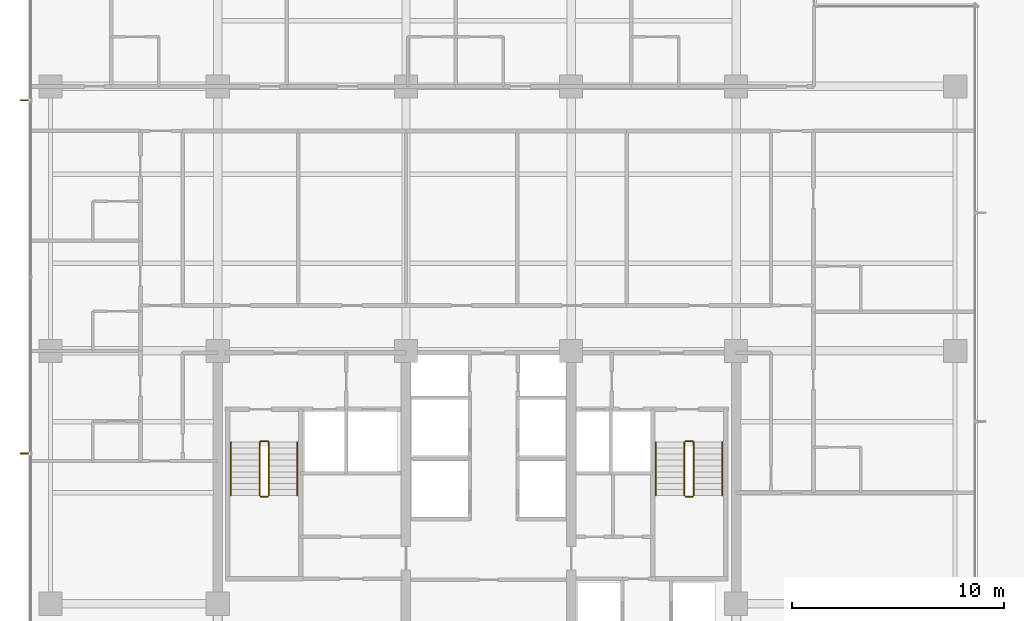
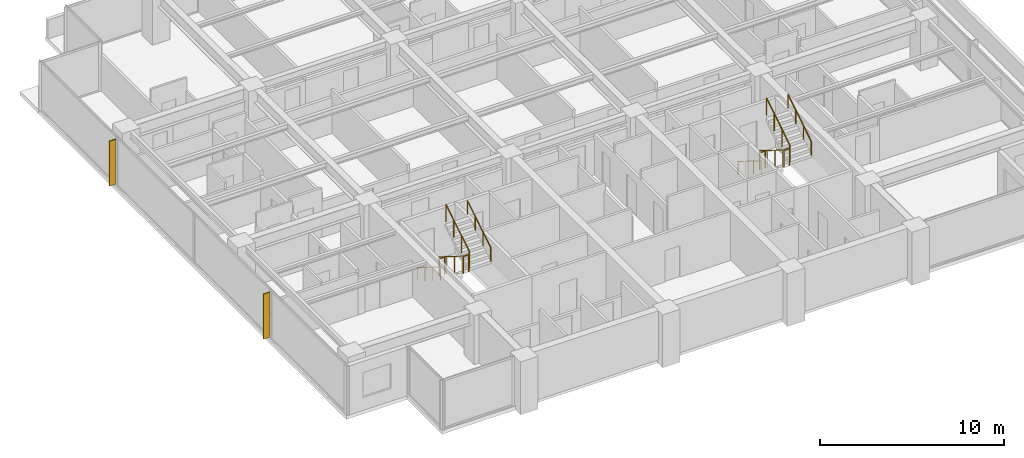
# One storey, part 15 of 16: 12 railings, 2 shading devices.
"""IFC4 building model written with IfcOpenShell, lengths in metres."""

from ifc_helpers import new_model, si_unit, direction, frame, origin, origin_2d, place, context, subcontext, project, spatial, polyline, circle, outline, extrude, material, layer, layer_set, type_object, element, save


model = new_model("IFC4")

# Units and contexts
model_context = context("Model", 3, precision=1e-05, world=origin(), true_north=direction((0.0, 1.0)))
body_context = subcontext(model_context, "Body", "Model", "MODEL_VIEW")
ifc_project = project(units=[si_unit("LENGTHUNIT", "METRE"), si_unit("AREAUNIT", "SQUARE_METRE"), si_unit("VOLUMEUNIT", "CUBIC_METRE"), si_unit("PLANEANGLEUNIT", "RADIAN"), si_unit("MASSUNIT", "GRAM", prefix="KILO")], contexts=[model_context])

# Site, building, storey
site_placement = place(None, origin())
site = spatial("IfcSite", under=ifc_project, at=site_placement, CompositionType="ELEMENT")
building_placement = place(site_placement, origin())
building = spatial("IfcBuilding", under=site, at=building_placement, Name="Qalmaran Belvedere Hotel", CompositionType="ELEMENT")
storey_placement = place(building_placement, frame((0.0, 0.0, 138.60009765625)))
storey = spatial("IfcBuildingStorey", under=building, at=storey_placement, Name="L34", CompositionType="ELEMENT", Elevation=138.60009765625)

# Shading devices
ifc_material_1 = material(Name="Anodised Bronze Aluminium", Category="aluminium")
ifc_layer = layer(ifc_material_1, 0.06494140625, Name="Anodised Bronze Aluminium")
ifc_layer_set = layer_set([ifc_layer], Name="Anodised Bronze Aluminium")
shading_device_type = type_object("IfcShadingDeviceType", Name="FIN-BRNZ-420", PredefinedType="USERDEFINED", material=ifc_layer_set)
shading_device_1_placement = place(storey_placement, frame((0.0, 0.0, 0.159912109375)))
element("IfcShadingDevice", 1, at=shading_device_1_placement, inside=storey, type_object=shading_device_type, Name="L34 Bronze Fin 1", ObjectType="FIN", PredefinedType="USERDEFINED", context=body_context, shape_type="SweptSolid", body=[
    extrude(outline(polyline([(11.3798828125, 32.382568359375), (10.9599609375, 32.382568359375), (10.9599609375, 32.3173828125), (11.3798828125, 32.3173828125), (11.3798828125, 32.382568359375)])), origin(), (0.0, 0.0, 1.0), 2.969970703125),
])
shading_device_2_placement = place(storey_placement, frame((0.0, 0.0, 0.159912109375)))
element("IfcShadingDevice", 2, at=shading_device_2_placement, inside=storey, type_object=shading_device_type, Name="L34 Bronze Fin 3", ObjectType="FIN", PredefinedType="USERDEFINED", context=body_context, shape_type="SweptSolid", body=[
    extrude(outline(polyline([(11.3798828125, 15.6826171875), (10.9599609375, 15.6826171875), (10.9599609375, 15.617431640625), (11.3798828125, 15.617431640625), (11.3798828125, 15.6826171875)])), origin(), (0.0, 0.0, 1.0), 2.969970703125),
])

# Railings
ifc_material_2 = material(Name="Stainless Steel 1.4401", Category="steel")
railing_type_1 = type_object("IfcRailingType", Name="RLG-STAIR-GUARD-1150", PredefinedType="GUARDRAIL", material=ifc_material_2)
railing_1_placement = place(storey_placement, frame((22.280029296875, 16.18994140625, 0.1748046875)))
element("IfcRailing", 3, at=railing_1_placement, inside=storey, type_object=railing_type_1, Name="L34 ST-1 stair guard 1", PredefinedType="GUARDRAIL", context=body_context, shape_type="SweptSolid", body=[
    extrude(circle(Radius=0.02392578125, at=origin_2d()), frame((0.0, 0.0, 1.1259765625), z_axis=(0.0, -0.847970611238, 0.530043245855), x_axis=(1.0, 0.0, 0.0)), (0.0, 0.0, 1.0), 2.971923828125),
    extrude(circle(Radius=0.02099609375, at=origin_2d()), origin(), (0.0, 0.0, 1.0), 1.101806640625),
    extrude(circle(Radius=0.02099609375, at=origin_2d()), frame((0.0, -0.840087890625, 0.525146484375)), (0.0, 0.0, 1.0), 1.101806640625),
    extrude(circle(Radius=0.02099609375, at=origin_2d()), frame((0.0, -1.679931640625, 1.050048828125)), (0.0, 0.0, 1.0), 1.101806640625),
    extrude(circle(Radius=0.02099609375, at=origin_2d()), frame((0.0, -2.52001953125, 1.5751953125)), (0.0, 0.0, 1.0), 1.101806640625),
])
railing_2_placement = place(storey_placement, frame((22.330078125, 13.6201171875, 1.75)))
element("IfcRailing", 4, at=railing_2_placement, inside=storey, type_object=railing_type_1, Name="L34 ST-1 stair guard 2", PredefinedType="GUARDRAIL", context=body_context, shape_type="SweptSolid", body=[
    extrude(circle(Radius=0.02392578125, at=origin_2d()), frame((0.0, 0.0, 1.1259765625), z_axis=(1.0, 0.0, 0.0), x_axis=(0.0, 1.0, 0.0)), (0.0, 0.0, 1.0), 0.33984375),
    extrude(circle(Radius=0.02099609375, at=origin_2d()), origin(), (0.0, 0.0, 1.0), 1.101806640625),
    extrude(circle(Radius=0.02099609375, at=origin_2d()), frame((0.33984375, 0.0, 0.0)), (0.0, 0.0, 1.0), 1.101806640625),
])
railing_3_placement = place(storey_placement, frame((22.719970703125, 13.669921875, 1.9248046875)))
element("IfcRailing", 5, at=railing_3_placement, inside=storey, type_object=railing_type_1, Name="L34 ST-1 stair guard 3", PredefinedType="GUARDRAIL", context=body_context, shape_type="SweptSolid", body=[
    extrude(circle(Radius=0.02392578125, at=origin_2d()), frame((0.0, 0.0, 1.1259765625), z_axis=(0.0, 0.847970611238, 0.530043245855), x_axis=(-1.0, 0.0, 0.0)), (0.0, 0.0, 1.0), 2.971923828125),
    extrude(circle(Radius=0.02099609375, at=origin_2d()), origin(), (0.0, 0.0, 1.0), 1.101806640625),
    extrude(circle(Radius=0.02099609375, at=origin_2d()), frame((0.0, 0.840087890625, 0.525146484375)), (0.0, 0.0, 1.0), 1.101806640625),
    extrude(circle(Radius=0.02099609375, at=origin_2d()), frame((0.0, 1.679931640625, 1.050048828125)), (0.0, 0.0, 1.0), 1.101806640625),
    extrude(circle(Radius=0.02099609375, at=origin_2d()), frame((0.0, 2.52001953125, 1.5751953125)), (0.0, 0.0, 1.0), 1.101806640625),
])
railing_4_placement = place(storey_placement, frame((22.330078125, 16.239990234375, 0.0)))
element("IfcRailing", 6, at=railing_4_placement, inside=storey, type_object=railing_type_1, Name="L34 ST-1 stair guard 4", PredefinedType="GUARDRAIL", context=body_context, shape_type="SweptSolid", body=[
    extrude(circle(Radius=0.02392578125, at=origin_2d()), frame((0.0, 0.0, 1.1259765625), z_axis=(1.0, 0.0, 0.0), x_axis=(0.0, 1.0, 0.0)), (0.0, 0.0, 1.0), 0.33984375),
    extrude(circle(Radius=0.02099609375, at=origin_2d()), origin(), (0.0, 0.0, 1.0), 1.101806640625),
    extrude(circle(Radius=0.02099609375, at=origin_2d()), frame((0.33984375, 0.0, 0.0)), (0.0, 0.0, 1.0), 1.101806640625),
])
railing_5_placement = place(storey_placement, frame((42.360107421875, 16.18994140625, 0.1748046875)))
element("IfcRailing", 7, at=railing_5_placement, inside=storey, type_object=railing_type_1, Name="L34 ST-2 stair guard 1", PredefinedType="GUARDRAIL", context=body_context, shape_type="SweptSolid", body=[
    extrude(circle(Radius=0.02392578125, at=origin_2d()), frame((0.0, 0.0, 1.1259765625), z_axis=(0.0, -0.847970611238, 0.530043245855), x_axis=(1.0, 0.0, 0.0)), (0.0, 0.0, 1.0), 2.971923828125),
    extrude(circle(Radius=0.02099609375, at=origin_2d()), origin(), (0.0, 0.0, 1.0), 1.101806640625),
    extrude(circle(Radius=0.02099609375, at=origin_2d()), frame((0.0, -0.840087890625, 0.525146484375)), (0.0, 0.0, 1.0), 1.101806640625),
    extrude(circle(Radius=0.02099609375, at=origin_2d()), frame((0.0, -1.679931640625, 1.050048828125)), (0.0, 0.0, 1.0), 1.101806640625),
    extrude(circle(Radius=0.02099609375, at=origin_2d()), frame((0.0, -2.52001953125, 1.5751953125)), (0.0, 0.0, 1.0), 1.101806640625),
])
railing_6_placement = place(storey_placement, frame((42.409912109375, 13.6201171875, 1.75)))
element("IfcRailing", 8, at=railing_6_placement, inside=storey, type_object=railing_type_1, Name="L34 ST-2 stair guard 2", PredefinedType="GUARDRAIL", context=body_context, shape_type="SweptSolid", body=[
    extrude(circle(Radius=0.02392578125, at=origin_2d()), frame((0.0, 0.0, 1.1259765625), z_axis=(1.0, 0.0, 0.0), x_axis=(0.0, 1.0, 0.0)), (0.0, 0.0, 1.0), 0.340087890625),
    extrude(circle(Radius=0.02099609375, at=origin_2d()), origin(), (0.0, 0.0, 1.0), 1.101806640625),
    extrude(circle(Radius=0.02099609375, at=origin_2d()), frame((0.340087890625, 0.0, 0.0)), (0.0, 0.0, 1.0), 1.101806640625),
])
railing_7_placement = place(storey_placement, frame((42.800048828125, 13.669921875, 1.9248046875)))
element("IfcRailing", 9, at=railing_7_placement, inside=storey, type_object=railing_type_1, Name="L34 ST-2 stair guard 3", PredefinedType="GUARDRAIL", context=body_context, shape_type="SweptSolid", body=[
    extrude(circle(Radius=0.02392578125, at=origin_2d()), frame((0.0, 0.0, 1.1259765625), z_axis=(0.0, 0.847970611238, 0.530043245855), x_axis=(-1.0, 0.0, 0.0)), (0.0, 0.0, 1.0), 2.971923828125),
    extrude(circle(Radius=0.02099609375, at=origin_2d()), origin(), (0.0, 0.0, 1.0), 1.101806640625),
    extrude(circle(Radius=0.02099609375, at=origin_2d()), frame((0.0, 0.840087890625, 0.525146484375)), (0.0, 0.0, 1.0), 1.101806640625),
    extrude(circle(Radius=0.02099609375, at=origin_2d()), frame((0.0, 1.679931640625, 1.050048828125)), (0.0, 0.0, 1.0), 1.101806640625),
    extrude(circle(Radius=0.02099609375, at=origin_2d()), frame((0.0, 2.52001953125, 1.5751953125)), (0.0, 0.0, 1.0), 1.101806640625),
])
railing_8_placement = place(storey_placement, frame((42.409912109375, 16.239990234375, 0.0)))
element("IfcRailing", 10, at=railing_8_placement, inside=storey, type_object=railing_type_1, Name="L34 ST-2 stair guard 4", PredefinedType="GUARDRAIL", context=body_context, shape_type="SweptSolid", body=[
    extrude(circle(Radius=0.02392578125, at=origin_2d()), frame((0.0, 0.0, 1.1259765625), z_axis=(1.0, 0.0, 0.0), x_axis=(0.0, 1.0, 0.0)), (0.0, 0.0, 1.0), 0.340087890625),
    extrude(circle(Radius=0.02099609375, at=origin_2d()), origin(), (0.0, 0.0, 1.0), 1.101806640625),
    extrude(circle(Radius=0.02099609375, at=origin_2d()), frame((0.340087890625, 0.0, 0.0)), (0.0, 0.0, 1.0), 1.101806640625),
])
railing_type_2 = type_object("IfcRailingType", Name="RLG-STAIR-HAND-910", PredefinedType="HANDRAIL", material=ifc_material_2)
railing_9_placement = place(storey_placement, frame((20.929931640625, 16.18994140625, 0.1748046875)))
element("IfcRailing", 11, at=railing_9_placement, inside=storey, type_object=railing_type_2, Name="L34 ST-1 stair handrail 1", PredefinedType="HANDRAIL", context=body_context, shape_type="SweptSolid", body=[
    extrude(circle(Radius=0.02392578125, at=origin_2d()), frame((0.0, 0.0, 0.8857421875), z_axis=(0.0, -0.847970611238, 0.530043245855), x_axis=(1.0, 0.0, 0.0)), (0.0, 0.0, 1.0), 2.971923828125),
    extrude(circle(Radius=0.02099609375, at=origin_2d()), origin(), (0.0, 0.0, 1.0), 0.86181640625),
    extrude(circle(Radius=0.02099609375, at=origin_2d()), frame((0.0, -0.840087890625, 0.525146484375)), (0.0, 0.0, 1.0), 0.86181640625),
    extrude(circle(Radius=0.02099609375, at=origin_2d()), frame((0.0, -1.679931640625, 1.050048828125)), (0.0, 0.0, 1.0), 0.86181640625),
    extrude(circle(Radius=0.02099609375, at=origin_2d()), frame((0.0, -2.52001953125, 1.5751953125)), (0.0, 0.0, 1.0), 0.86181640625),
])
railing_10_placement = place(storey_placement, frame((24.070068359375, 13.669921875, 1.9248046875)))
element("IfcRailing", 12, at=railing_10_placement, inside=storey, type_object=railing_type_2, Name="L34 ST-1 stair handrail 2", PredefinedType="HANDRAIL", context=body_context, shape_type="SweptSolid", body=[
    extrude(circle(Radius=0.02392578125, at=origin_2d()), frame((0.0, 0.0, 0.8857421875), z_axis=(0.0, 0.847970611238, 0.530043245855), x_axis=(-1.0, 0.0, 0.0)), (0.0, 0.0, 1.0), 2.971923828125),
    extrude(circle(Radius=0.02099609375, at=origin_2d()), origin(), (0.0, 0.0, 1.0), 0.86181640625),
    extrude(circle(Radius=0.02099609375, at=origin_2d()), frame((0.0, 0.840087890625, 0.525146484375)), (0.0, 0.0, 1.0), 0.86181640625),
    extrude(circle(Radius=0.02099609375, at=origin_2d()), frame((0.0, 1.679931640625, 1.050048828125)), (0.0, 0.0, 1.0), 0.86181640625),
    extrude(circle(Radius=0.02099609375, at=origin_2d()), frame((0.0, 2.52001953125, 1.5751953125)), (0.0, 0.0, 1.0), 0.86181640625),
])
railing_11_placement = place(storey_placement, frame((41.010009765625, 16.18994140625, 0.1748046875)))
element("IfcRailing", 13, at=railing_11_placement, inside=storey, type_object=railing_type_2, Name="L34 ST-2 stair handrail 1", PredefinedType="HANDRAIL", context=body_context, shape_type="SweptSolid", body=[
    extrude(circle(Radius=0.02392578125, at=origin_2d()), frame((0.0, 0.0, 0.8857421875), z_axis=(0.0, -0.847970611238, 0.530043245855), x_axis=(1.0, 0.0, 0.0)), (0.0, 0.0, 1.0), 2.971923828125),
    extrude(circle(Radius=0.02099609375, at=origin_2d()), origin(), (0.0, 0.0, 1.0), 0.86181640625),
    extrude(circle(Radius=0.02099609375, at=origin_2d()), frame((0.0, -0.840087890625, 0.525146484375)), (0.0, 0.0, 1.0), 0.86181640625),
    extrude(circle(Radius=0.02099609375, at=origin_2d()), frame((0.0, -1.679931640625, 1.050048828125)), (0.0, 0.0, 1.0), 0.86181640625),
    extrude(circle(Radius=0.02099609375, at=origin_2d()), frame((0.0, -2.52001953125, 1.5751953125)), (0.0, 0.0, 1.0), 0.86181640625),
])
railing_12_placement = place(storey_placement, frame((44.14990234375, 13.669921875, 1.9248046875)))
element("IfcRailing", 14, at=railing_12_placement, inside=storey, type_object=railing_type_2, Name="L34 ST-2 stair handrail 2", PredefinedType="HANDRAIL", context=body_context, shape_type="SweptSolid", body=[
    extrude(circle(Radius=0.02392578125, at=origin_2d()), frame((0.0, 0.0, 0.8857421875), z_axis=(0.0, 0.847970611238, 0.530043245855), x_axis=(-1.0, 0.0, 0.0)), (0.0, 0.0, 1.0), 2.971923828125),
    extrude(circle(Radius=0.02099609375, at=origin_2d()), origin(), (0.0, 0.0, 1.0), 0.86181640625),
    extrude(circle(Radius=0.02099609375, at=origin_2d()), frame((0.0, 0.840087890625, 0.525146484375)), (0.0, 0.0, 1.0), 0.86181640625),
    extrude(circle(Radius=0.02099609375, at=origin_2d()), frame((0.0, 1.679931640625, 1.050048828125)), (0.0, 0.0, 1.0), 0.86181640625),
    extrude(circle(Radius=0.02099609375, at=origin_2d()), frame((0.0, 2.52001953125, 1.5751953125)), (0.0, 0.0, 1.0), 0.86181640625),
])

save(model, "model.ifc")
